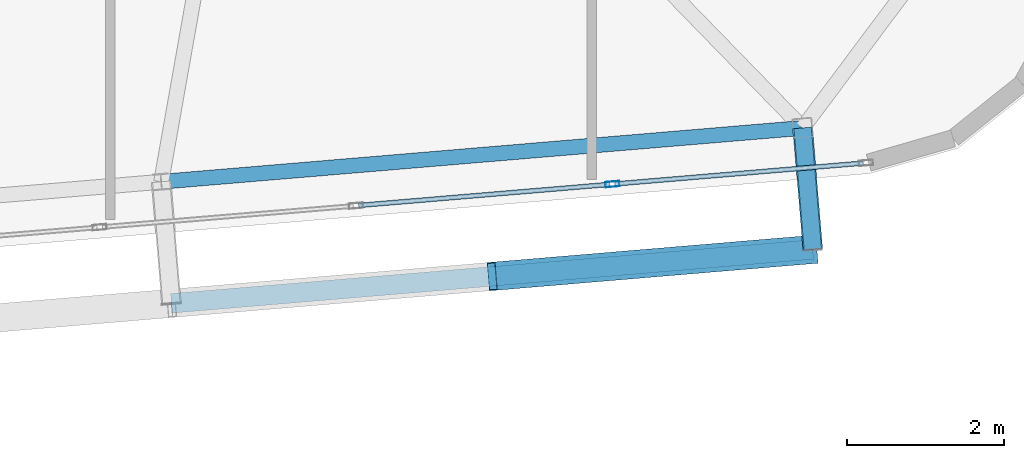
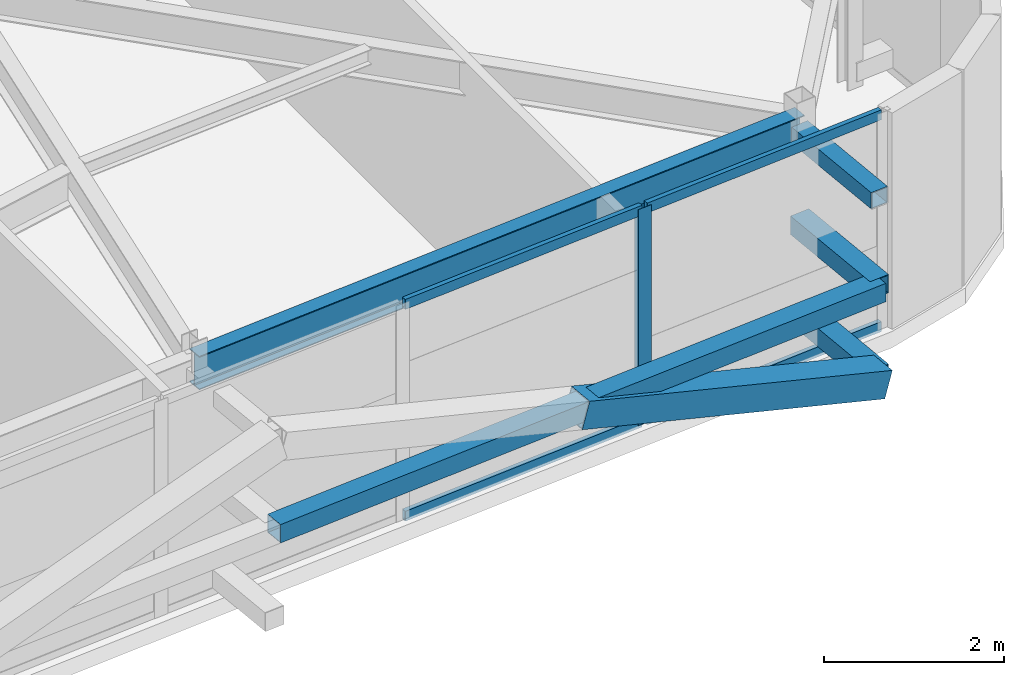
# One storey, part 20 of 46: 10 members, 1 beam, 1 element without a shape of its own.
"""IFC4 building model written with IfcOpenShell, lengths in metres."""

from ifc_helpers import new_model, si_unit, direction, frame, origin, origin_2d, place, context, subcontext, project, spatial, hollow_rectangle, i_section, extrude, source, transform, mapped, material, layer, layer_set, material_profile, profile_set, type_object, element, aggregate, save


model = new_model("IFC4")

# Units and contexts
model_context = context("Model", 3, precision=1e-05, world=origin(), true_north=direction((0.0, 1.0)))
body_context = subcontext(model_context, "Body", "Model", "MODEL_VIEW")
ifc_project = project(units=[si_unit("LENGTHUNIT", "METRE"), si_unit("AREAUNIT", "SQUARE_METRE"), si_unit("VOLUMEUNIT", "CUBIC_METRE"), si_unit("PLANEANGLEUNIT", "RADIAN"), si_unit("MASSUNIT", "GRAM", prefix="KILO")], contexts=[model_context])

# Site, building, storey
site_placement = place(None, origin())
site = spatial("IfcSite", under=ifc_project, at=site_placement, CompositionType="ELEMENT")
building_placement = place(site_placement, origin())
building = spatial("IfcBuilding", under=site, at=building_placement, Name="Taldren Reach Tower", CompositionType="ELEMENT")
storey_placement = place(building_placement, frame((0.0, 0.0, 188.300048828125)))
storey = spatial("IfcBuildingStorey", under=building, at=storey_placement, Name="L57", CompositionType="ELEMENT", Elevation=188.300048828125)

# Members
ifc_material_1 = material(Name="Steel Gr 350 (C350L0)", Category="steel")
ifc_material_profile_1 = material_profile(ifc_material_1, hollow_rectangle(XDim=0.25, YDim=0.25, WallThickness=0.010009765625, at=origin_2d()), Name="250x250x10.0SHS")
ifc_profile_set_1 = profile_set([ifc_material_profile_1], Name="Steel Gr 350 (C350L0)")
member_type_1 = type_object("IfcMemberType", Name="MB-POST250", PredefinedType="POST", material=ifc_profile_set_1)
shared_shape_1 = source(origin(), body_context, "Body", "SweptSolid", [
    extrude(hollow_rectangle(XDim=0.25, YDim=0.25, WallThickness=0.010009765625, at=origin_2d()), origin(), (0.0, 0.0, 1.0), 1.5498046875),
])
for number, where, z_axis, x_axis, name in (
    (1, (58.796142578125, 5.516357421875, 0.219970703125), (0.083801560254, -0.996482462715, 0.0), (0.996482462715, 0.083801560254, 0.0), "Exoskeleton base diaphragm tie strut B4-S6 L57"),
    (2, (58.796142578125, 5.516357421875, 1.43505859375), (0.083801560254, -0.996482462715, 0.0), (0.996482462715, 0.083801560254, 0.0), "Exoskeleton mid-tier diaphragm tie B4-S6 L57"),
):
    element("IfcMember", number, at=place(storey_placement, frame(where, z_axis=z_axis, x_axis=x_axis)), inside=storey, type_object=member_type_1, Name=name, PredefinedType="POST", context=body_context, shape_type="MappedRepresentation", body=[
        mapped(shared_shape_1, transform((0.0, 0.0, 0.0), scale=1.0)),
    ])

# Beam
ifc_material_2 = material(Name="Steel Gr 350 (350PLUS)", Category="steel")
ifc_material_profile_2 = material_profile(ifc_material_2, i_section(OverallWidth=0.18994140625, OverallDepth=0.4541015625, WebThickness=0.008544921875, FlangeThickness=0.0126953125, at=origin_2d()), Name="460UB67.1")
ifc_profile_set_2 = profile_set([ifc_material_profile_2], Name="Steel Gr 350 (350PLUS)")
beam_type = type_object("IfcBeamType", Name="SP-UB460B", PredefinedType="SPANDREL", material=ifc_profile_set_2)
shared_shape_2 = source(origin(), body_context, "Body", "SweptSolid", [
    extrude(i_section(OverallWidth=0.18994140625, OverallDepth=0.4541015625, WebThickness=0.008544921875, FlangeThickness=0.0126953125, at=origin_2d()), origin(), (0.0, 0.0, 1.0), 8.179931640625),
])
beam_placement = place(storey_placement, frame((50.644775390625, 4.83203125, 2.702880859375), z_axis=(0.996494523218, 0.083658025296, 0.0), x_axis=(-0.083658025296, 0.996494523218, 0.0)))
element("IfcBeam", 3, at=beam_placement, inside=storey, type_object=beam_type, Name="Perimeter spandrel B4 S5-S6 L57", PredefinedType="SPANDREL", context=body_context, shape_type="MappedRepresentation", body=[
    mapped(shared_shape_2, transform((0.0, 0.0, 0.0), scale=1.0)),
])

# Members
ifc_material_3 = material(Name="Steel Gr 450 (C450L0)", Category="steel")
ifc_material_profile_3 = material_profile(ifc_material_3, hollow_rectangle(XDim=0.219970703125, YDim=0.219970703125, WallThickness=0.00830078125, at=origin_2d()), Name="220x220x8.2SHS")
ifc_profile_set_3 = profile_set([ifc_material_profile_3], Name="Steel Gr 450 (C450L0)")
member_type_2 = type_object("IfcMemberType", Name="MB-TIE219", PredefinedType="STRUT", material=ifc_profile_set_3)
shared_shape_3 = source(origin(), body_context, "Body", "SweptSolid", [
    extrude(hollow_rectangle(XDim=0.219970703125, YDim=0.219970703125, WallThickness=0.00830078125, at=origin_2d()), origin(), (0.0, 0.0, 1.0), 1.5498046875),
])
member_1_placement = place(storey_placement, frame((58.796142578125, 5.516357421875, 2.64990234375), z_axis=(0.083801560254, -0.996482462715, 0.0), x_axis=(0.996482462715, 0.083801560254, 0.0)))
element("IfcMember", 4, at=member_1_placement, inside=storey, type_object=member_type_2, Name="Exoskeleton diaphragm tie strut B4-S6 L57", PredefinedType="STRUT", context=body_context, shape_type="MappedRepresentation", body=[
    mapped(shared_shape_3, transform((0.0, 0.0, 0.0), scale=1.0)),
])
shared_shape_4 = source(origin(), body_context, "Body", "SweptSolid", [
    extrude(hollow_rectangle(XDim=0.25, YDim=0.25, WallThickness=0.010009765625, at=origin_2d()), origin(), (0.0, 0.0, 1.0), 8.18017578125),
])
member_2_placement = place(storey_placement, frame((50.774658203125, 3.287353515625, 1.43505859375), z_axis=(0.996492034688, 0.083687662192, 0.0), x_axis=(-0.083687662192, 0.996492034688, 0.0)))
element("IfcMember", 5, at=member_2_placement, inside=storey, type_object=member_type_1, Name="Exoskeleton mid-height ring chord B4-S5 L57", PredefinedType="POST", context=body_context, shape_type="MappedRepresentation", body=[
    mapped(shared_shape_4, transform((0.0, 0.0, 0.0), scale=1.0)),
])
ifc_material_profile_4 = material_profile(ifc_material_3, hollow_rectangle(XDim=0.360107421875, YDim=0.360107421875, WallThickness=0.0126953125, at=origin_2d()), Name="360x360x12.7SHS")
ifc_profile_set_4 = profile_set([ifc_material_profile_4], Name="Steel Gr 450 (C450L0)")
member_type_3 = type_object("IfcMemberType", Name="MB-EXO356", PredefinedType="BRACE", material=ifc_profile_set_4)
shared_shape_5 = source(origin(), body_context, "Body", "SweptSolid", [
    extrude(hollow_rectangle(XDim=0.360107421875, YDim=0.360107421875, WallThickness=0.0126953125, at=origin_2d()), origin(), (0.0, 0.0, 1.0), 4.2666015625),
])
member_3_placement = place(storey_placement, frame((58.926025390625, 3.971923828125, 0.219970703125), z_axis=(-0.955229159097, -0.080222312271, 0.284783486572), x_axis=(0.083687662192, -0.996492034688, 0.0)))
element("IfcMember", 6, at=member_3_placement, inside=storey, type_object=member_type_3, Name="Exoskeleton Diagrid Brace B4-S5 L57", PredefinedType="BRACE", context=body_context, shape_type="MappedRepresentation", body=[
    mapped(shared_shape_5, transform((0.0, 0.0, 0.0), scale=1.0)),
])

# Curtain wall, members
ifc_material_4 = material(Name="Aluminium and Low-E Glass Unitised System", Category="aluminium")
ifc_layer = layer(ifc_material_4, 0.159912109375)
ifc_layer_set = layer_set([ifc_layer], Name="Aluminium and Low-E Glass Unitised System")
curtain_wall_type = type_object("IfcCurtainWallType", Name="CW-SYS-5", PredefinedType="NOTDEFINED", material=ifc_layer_set)
curtain_wall_placement = place(storey_placement, origin())
curtain_wall = element("IfcCurtainWall", 7, at=curtain_wall_placement, inside=storey, type_object=curtain_wall_type, Name="Unitised curtain wall CW-L57-S", PredefinedType="NOTDEFINED")
ifc_material_5 = material(Name="Anodised Aluminium 6063-T6", Category="aluminium")
ifc_material_profile_5 = material_profile(ifc_material_5, hollow_rectangle(XDim=0.070068359375, YDim=0.179931640625, WallThickness=0.00390625, at=origin_2d()), Name="ALU-180x70x4RHS")
ifc_profile_set_5 = profile_set([ifc_material_profile_5], Name="Anodised Aluminium 6063-T6")
member_type_4 = type_object("IfcMemberType", Name="CW-MUL-180", PredefinedType="MULLION", material=ifc_profile_set_5)
shared_shape_6 = source(origin(), body_context, "Body", "SweptSolid", [
    extrude(hollow_rectangle(XDim=0.070068359375, YDim=0.179931640625, WallThickness=0.00390625, at=origin_2d()), origin(), (0.0, 0.0, 1.0), 2.929931640625),
])
member_4_placement = place(storey_placement, frame((56.37841796875, 4.801513671875, 0.0), z_axis=(0.0, 0.0, 1.0), x_axis=(-0.083677894865, 0.996492854922, 0.0)))
member_4 = element("IfcMember", 8, at=member_4_placement, type_object=member_type_4, Name="CW-5 mullion 13", PredefinedType="MULLION", context=body_context, shape_type="MappedRepresentation", body=[
    mapped(shared_shape_6, transform((0.0, 0.0, 0.0), scale=1.0)),
])
ifc_material_profile_6 = material_profile(ifc_material_5, hollow_rectangle(XDim=0.06005859375, YDim=0.135009765625, WallThickness=0.00341796875, at=origin_2d()), Name="ALU-135x60x3.5RHS")
ifc_profile_set_6 = profile_set([ifc_material_profile_6], Name="Anodised Aluminium 6063-T6")
member_type_5 = type_object("IfcMemberType", Name="CW-TRN-150", PredefinedType="USERDEFINED", material=ifc_profile_set_6)
shared_shape_7 = source(origin(), body_context, "Body", "SweptSolid", [
    extrude(hollow_rectangle(XDim=0.06005859375, YDim=0.135009765625, WallThickness=0.00341796875, at=origin_2d()), origin(), (0.0, 0.0, 1.0), 3.19921875),
])
member_5_placement = place(storey_placement, frame((53.155517578125, 4.531005859375, 0.030029296875), z_axis=(0.996496109493, 0.083639128198, 0.0), x_axis=(-0.083639128198, 0.996496109493, 0.0)))
member_5 = element("IfcMember", 9, at=member_5_placement, type_object=member_type_5, Name="CW-5 transom 12.1", ObjectType="TRANSOM", PredefinedType="USERDEFINED", context=body_context, shape_type="MappedRepresentation", body=[
    mapped(shared_shape_7, transform((0.0, 0.0, 0.0), scale=1.0)),
])
member_6_placement = place(storey_placement, frame((53.155517578125, 4.531005859375, 2.89990234375), z_axis=(0.996496109493, 0.083639128198, 0.0), x_axis=(-0.083639128198, 0.996496109493, 0.0)))
member_6 = element("IfcMember", 10, at=member_6_placement, type_object=member_type_5, Name="CW-5 transom 12.2", ObjectType="TRANSOM", PredefinedType="USERDEFINED", context=body_context, shape_type="MappedRepresentation", body=[
    mapped(shared_shape_7, transform((0.0, 0.0, 0.0), scale=1.0)),
])
shared_shape_8 = source(origin(), body_context, "Body", "SweptSolid", [
    extrude(hollow_rectangle(XDim=0.06005859375, YDim=0.135009765625, WallThickness=0.00341796875, at=origin_2d()), origin(), (0.0, 0.0, 1.0), 3.164306640625),
])
member_7_placement = place(storey_placement, frame((56.4130859375, 4.804443359375, 0.030029296875), z_axis=(0.996490200681, 0.083709497347, 0.0), x_axis=(-0.083709497347, 0.996490200681, 0.0)))
member_7 = element("IfcMember", 11, at=member_7_placement, type_object=member_type_5, Name="CW-5 transom 13.1", ObjectType="TRANSOM", PredefinedType="USERDEFINED", context=body_context, shape_type="MappedRepresentation", body=[
    mapped(shared_shape_8, transform((0.0, 0.0, 0.0), scale=1.0)),
])
member_8_placement = place(storey_placement, frame((56.4130859375, 4.804443359375, 2.89990234375), z_axis=(0.996490200681, 0.083709497347, 0.0), x_axis=(-0.083709497347, 0.996490200681, 0.0)))
member_8 = element("IfcMember", 12, at=member_8_placement, type_object=member_type_5, Name="CW-5 transom 13.2", ObjectType="TRANSOM", PredefinedType="USERDEFINED", context=body_context, shape_type="MappedRepresentation", body=[
    mapped(shared_shape_8, transform((0.0, 0.0, 0.0), scale=1.0)),
])
aggregate(curtain_wall, [member_4, member_5, member_6, member_7, member_8])

save(model, "model.ifc")
